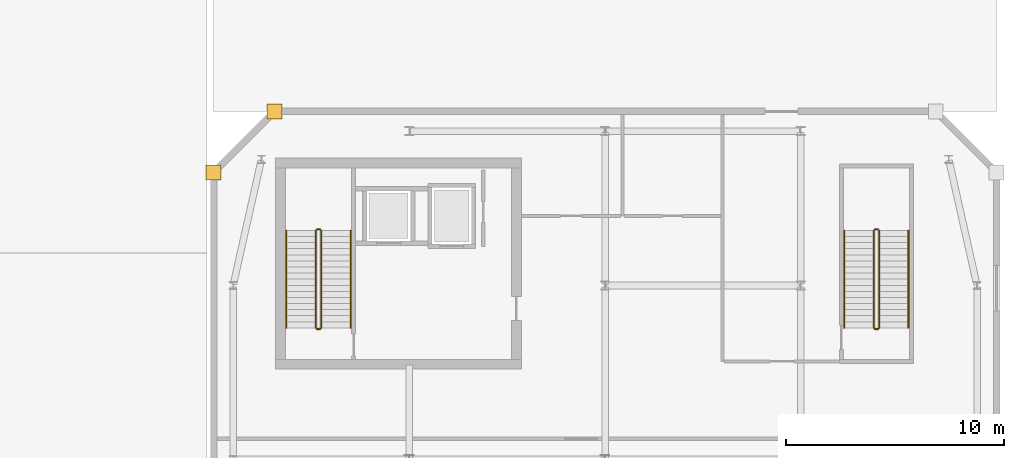
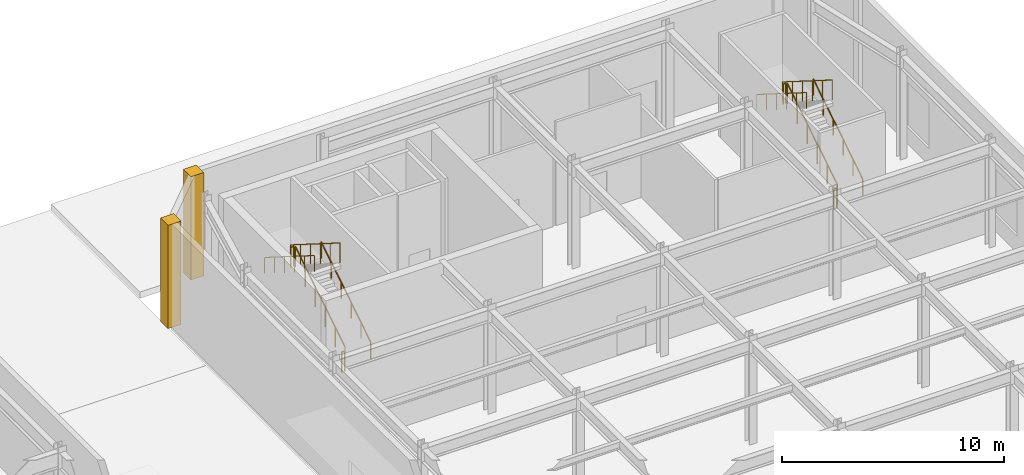
# One storey, part 21 of 23: 12 railings, 2 coverings.
"""IFC4 building model written with IfcOpenShell, lengths in metres."""

from ifc_helpers import new_model, si_unit, direction, frame, origin, origin_2d, place, context, subcontext, project, spatial, polyline, circle, outline, extrude, material, layer, layer_set, type_object, element, save


model = new_model("IFC4")

# Units and contexts
model_context = context("Model", 3, precision=1e-05, world=origin(), true_north=direction((0.0, 1.0)))
body_context = subcontext(model_context, "Body", "Model", "MODEL_VIEW")
ifc_project = project(units=[si_unit("LENGTHUNIT", "METRE"), si_unit("AREAUNIT", "SQUARE_METRE"), si_unit("VOLUMEUNIT", "CUBIC_METRE"), si_unit("PLANEANGLEUNIT", "RADIAN"), si_unit("MASSUNIT", "GRAM", prefix="KILO")], contexts=[model_context])

# Site, building, storey
site_placement = place(None, origin())
site = spatial("IfcSite", under=ifc_project, at=site_placement, CompositionType="ELEMENT")
building_placement = place(site_placement, origin())
building = spatial("IfcBuilding", under=site, at=building_placement, Name="Saevonmaru Cultural Tower", CompositionType="ELEMENT")
storey_placement = place(building_placement, origin())
storey = spatial("IfcBuildingStorey", under=building, at=storey_placement, Name="L00", CompositionType="ELEMENT", Elevation=0.0)

# Coverings
ifc_material_1 = material(Name="Satin Bronze Anodised Aluminium", Category="aluminium")
ifc_layer = layer(ifc_material_1, 0.679931640625, Name="Satin Bronze Anodised Aluminium")
ifc_layer_set = layer_set([ifc_layer], Name="Satin Bronze Anodised Aluminium")
covering_type = type_object("IfcCoveringType", Name="CV-CORNER-CLAD", PredefinedType="CLADDING", material=ifc_layer_set)
covering_1_placement = place(storey_placement, origin())
element("IfcCovering", 1, at=covering_1_placement, inside=storey, type_object=covering_type, Name="L00 Library Bronze Corner Cladding Pier 7", PredefinedType="CLADDING", context=body_context, shape_type="SweptSolid", body=[
    extrude(outline(polyline([(74.659912109375, 47.659912109375), (75.340087890625, 47.659912109375), (75.340087890625, 48.340087890625), (74.659912109375, 48.340087890625), (74.659912109375, 47.659912109375)])), origin(), (0.0, 0.0, 1.0), 5.699951171875),
])
covering_2_placement = place(storey_placement, origin())
element("IfcCovering", 2, at=covering_2_placement, inside=storey, type_object=covering_type, Name="L00 Library Bronze Corner Cladding Pier 8", PredefinedType="CLADDING", context=body_context, shape_type="SweptSolid", body=[
    extrude(outline(polyline([(71.860107421875, 44.860107421875), (72.5400390625, 44.860107421875), (72.5400390625, 45.5400390625), (71.860107421875, 45.5400390625), (71.860107421875, 44.860107421875)])), origin(), (0.0, 0.0, 1.0), 5.699951171875),
])

# Railings
ifc_material_2 = material(Name="Architectural Painted Steel", Category="steel")
railing_type_1 = type_object("IfcRailingType", Name="RL-STAIR-GUARD", PredefinedType="GUARDRAIL", material=ifc_material_2)
railing_1_placement = place(storey_placement, frame((77.14990234375, 38.050048828125, 0.176513671875)))
element("IfcRailing", 3, at=railing_1_placement, inside=storey, type_object=railing_type_1, Name="L00 LST-1 stair guard 1", PredefinedType="GUARDRAIL", context=body_context, shape_type="SweptSolid", body=[
    extrude(circle(Radius=0.02392578125, at=origin_2d()), frame((0.0, 0.0, 1.09619140625), z_axis=(0.0, 0.845997938375, 0.533186166611), x_axis=(-1.0, 0.0, 0.0)), (0.0, 0.0, 1.0), 5.29541015625),
    extrude(circle(Radius=0.02099609375, at=origin_2d()), origin(), (0.0, 0.0, 1.0), 1.072021484375),
    extrude(circle(Radius=0.02099609375, at=origin_2d()), frame((0.0, 0.89599609375, 0.564697265625)), (0.0, 0.0, 1.0), 1.072021484375),
    extrude(circle(Radius=0.02099609375, at=origin_2d()), frame((0.0, 1.7919921875, 1.12939453125)), (0.0, 0.0, 1.0), 1.072021484375),
    extrude(circle(Radius=0.02099609375, at=origin_2d()), frame((0.0, 2.68798828125, 1.694091796875)), (0.0, 0.0, 1.0), 1.072021484375),
    extrude(circle(Radius=0.02099609375, at=origin_2d()), frame((0.0, 3.583984375, 2.2587890625)), (0.0, 0.0, 1.0), 1.072021484375),
    extrude(circle(Radius=0.02099609375, at=origin_2d()), frame((0.0, 4.47998046875, 2.823486328125)), (0.0, 0.0, 1.0), 1.072021484375),
])
railing_2_placement = place(storey_placement, frame((77.10009765625, 42.580078125, 3.0)))
element("IfcRailing", 4, at=railing_2_placement, inside=storey, type_object=railing_type_1, Name="L00 LST-1 stair guard 2", PredefinedType="GUARDRAIL", context=body_context, shape_type="SweptSolid", body=[
    extrude(circle(Radius=0.02392578125, at=origin_2d()), frame((0.0, 0.0, 1.09619140625), z_axis=(-1.0, 0.0, 0.0), x_axis=(0.0, -1.0, 0.0)), (0.0, 0.0, 1.0), 0.150146484375),
    extrude(circle(Radius=0.02099609375, at=origin_2d()), origin(), (0.0, 0.0, 1.0), 1.072021484375),
    extrude(circle(Radius=0.02099609375, at=origin_2d()), frame((-0.150146484375, 0.0, 0.0)), (0.0, 0.0, 1.0), 1.072021484375),
])
railing_3_placement = place(storey_placement, frame((76.89990234375, 42.530029296875, 3.176513671875)))
element("IfcRailing", 5, at=railing_3_placement, inside=storey, type_object=railing_type_1, Name="L00 LST-1 stair guard 3", PredefinedType="GUARDRAIL", context=body_context, shape_type="SweptSolid", body=[
    extrude(circle(Radius=0.02392578125, at=origin_2d()), frame((0.0, 0.0, 1.09619140625), z_axis=(0.0, -0.845997938375, 0.533186166611), x_axis=(1.0, 0.0, 0.0)), (0.0, 0.0, 1.0), 5.29541015625),
    extrude(circle(Radius=0.02099609375, at=origin_2d()), origin(), (0.0, 0.0, 1.0), 1.072021484375),
    extrude(circle(Radius=0.02099609375, at=origin_2d()), frame((0.0, -0.89599609375, 0.564697265625)), (0.0, 0.0, 1.0), 1.072021484375),
    extrude(circle(Radius=0.02099609375, at=origin_2d()), frame((0.0, -1.7919921875, 1.12939453125)), (0.0, 0.0, 1.0), 1.072021484375),
    extrude(circle(Radius=0.02099609375, at=origin_2d()), frame((0.0, -2.68798828125, 1.694091796875)), (0.0, 0.0, 1.0), 1.072021484375),
    extrude(circle(Radius=0.02099609375, at=origin_2d()), frame((0.0, -3.583984375, 2.2587890625)), (0.0, 0.0, 1.0), 1.072021484375),
    extrude(circle(Radius=0.02099609375, at=origin_2d()), frame((0.0, -4.47998046875, 2.823486328125)), (0.0, 0.0, 1.0), 1.072021484375),
])
railing_4_placement = place(storey_placement, frame((77.10009765625, 38.0, 0.0)))
element("IfcRailing", 6, at=railing_4_placement, inside=storey, type_object=railing_type_1, Name="L00 LST-1 stair guard 4", PredefinedType="GUARDRAIL", context=body_context, shape_type="SweptSolid", body=[
    extrude(circle(Radius=0.02392578125, at=origin_2d()), frame((0.0, 0.0, 1.09619140625), z_axis=(-1.0, 0.0, 0.0), x_axis=(0.0, -1.0, 0.0)), (0.0, 0.0, 1.0), 0.150146484375),
    extrude(circle(Radius=0.02099609375, at=origin_2d()), origin(), (0.0, 0.0, 1.0), 1.072021484375),
    extrude(circle(Radius=0.02099609375, at=origin_2d()), frame((-0.150146484375, 0.0, 0.0)), (0.0, 0.0, 1.0), 1.072021484375),
])
railing_5_placement = place(storey_placement, frame((102.800048828125, 38.050048828125, 0.176513671875)))
element("IfcRailing", 7, at=railing_5_placement, inside=storey, type_object=railing_type_1, Name="L00 LST-2 stair guard 1", PredefinedType="GUARDRAIL", context=body_context, shape_type="SweptSolid", body=[
    extrude(circle(Radius=0.02392578125, at=origin_2d()), frame((0.0, 0.0, 1.09619140625), z_axis=(0.0, 0.845997938375, 0.533186166611), x_axis=(-1.0, 0.0, 0.0)), (0.0, 0.0, 1.0), 5.29541015625),
    extrude(circle(Radius=0.02099609375, at=origin_2d()), origin(), (0.0, 0.0, 1.0), 1.072021484375),
    extrude(circle(Radius=0.02099609375, at=origin_2d()), frame((0.0, 0.89599609375, 0.564697265625)), (0.0, 0.0, 1.0), 1.072021484375),
    extrude(circle(Radius=0.02099609375, at=origin_2d()), frame((0.0, 1.7919921875, 1.12939453125)), (0.0, 0.0, 1.0), 1.072021484375),
    extrude(circle(Radius=0.02099609375, at=origin_2d()), frame((0.0, 2.68798828125, 1.694091796875)), (0.0, 0.0, 1.0), 1.072021484375),
    extrude(circle(Radius=0.02099609375, at=origin_2d()), frame((0.0, 3.583984375, 2.2587890625)), (0.0, 0.0, 1.0), 1.072021484375),
    extrude(circle(Radius=0.02099609375, at=origin_2d()), frame((0.0, 4.47998046875, 2.823486328125)), (0.0, 0.0, 1.0), 1.072021484375),
])
railing_6_placement = place(storey_placement, frame((102.75, 42.580078125, 3.0)))
element("IfcRailing", 8, at=railing_6_placement, inside=storey, type_object=railing_type_1, Name="L00 LST-2 stair guard 2", PredefinedType="GUARDRAIL", context=body_context, shape_type="SweptSolid", body=[
    extrude(circle(Radius=0.02392578125, at=origin_2d()), frame((0.0, 0.0, 1.09619140625), z_axis=(-1.0, 0.0, 0.0), x_axis=(0.0, -1.0, 0.0)), (0.0, 0.0, 1.0), 0.14990234375),
    extrude(circle(Radius=0.02099609375, at=origin_2d()), origin(), (0.0, 0.0, 1.0), 1.072021484375),
    extrude(circle(Radius=0.02099609375, at=origin_2d()), frame((-0.14990234375, 0.0, 0.0)), (0.0, 0.0, 1.0), 1.072021484375),
])
railing_7_placement = place(storey_placement, frame((102.550048828125, 42.530029296875, 3.176513671875)))
element("IfcRailing", 9, at=railing_7_placement, inside=storey, type_object=railing_type_1, Name="L00 LST-2 stair guard 3", PredefinedType="GUARDRAIL", context=body_context, shape_type="SweptSolid", body=[
    extrude(circle(Radius=0.02392578125, at=origin_2d()), frame((0.0, 0.0, 1.09619140625), z_axis=(0.0, -0.845997938375, 0.533186166611), x_axis=(1.0, 0.0, 0.0)), (0.0, 0.0, 1.0), 5.29541015625),
    extrude(circle(Radius=0.02099609375, at=origin_2d()), origin(), (0.0, 0.0, 1.0), 1.072021484375),
    extrude(circle(Radius=0.02099609375, at=origin_2d()), frame((0.0, -0.89599609375, 0.564697265625)), (0.0, 0.0, 1.0), 1.072021484375),
    extrude(circle(Radius=0.02099609375, at=origin_2d()), frame((0.0, -1.7919921875, 1.12939453125)), (0.0, 0.0, 1.0), 1.072021484375),
    extrude(circle(Radius=0.02099609375, at=origin_2d()), frame((0.0, -2.68798828125, 1.694091796875)), (0.0, 0.0, 1.0), 1.072021484375),
    extrude(circle(Radius=0.02099609375, at=origin_2d()), frame((0.0, -3.583984375, 2.2587890625)), (0.0, 0.0, 1.0), 1.072021484375),
    extrude(circle(Radius=0.02099609375, at=origin_2d()), frame((0.0, -4.47998046875, 2.823486328125)), (0.0, 0.0, 1.0), 1.072021484375),
])
railing_8_placement = place(storey_placement, frame((102.75, 38.0, 0.0)))
element("IfcRailing", 10, at=railing_8_placement, inside=storey, type_object=railing_type_1, Name="L00 LST-2 stair guard 4", PredefinedType="GUARDRAIL", context=body_context, shape_type="SweptSolid", body=[
    extrude(circle(Radius=0.02392578125, at=origin_2d()), frame((0.0, 0.0, 1.09619140625), z_axis=(-1.0, 0.0, 0.0), x_axis=(0.0, -1.0, 0.0)), (0.0, 0.0, 1.0), 0.14990234375),
    extrude(circle(Radius=0.02099609375, at=origin_2d()), origin(), (0.0, 0.0, 1.0), 1.072021484375),
    extrude(circle(Radius=0.02099609375, at=origin_2d()), frame((-0.14990234375, 0.0, 0.0)), (0.0, 0.0, 1.0), 1.072021484375),
])
railing_type_2 = type_object("IfcRailingType", Name="RL-STAIR-HANDRAIL", PredefinedType="HANDRAIL", material=ifc_material_1)
railing_9_placement = place(storey_placement, frame((78.5, 38.050048828125, 0.176513671875)))
element("IfcRailing", 11, at=railing_9_placement, inside=storey, type_object=railing_type_2, Name="L00 LST-1 stair handrail 1", PredefinedType="HANDRAIL", context=body_context, shape_type="SweptSolid", body=[
    extrude(circle(Radius=0.02392578125, at=origin_2d()), frame((0.0, 0.0, 0.8759765625), z_axis=(0.0, 0.845997938375, 0.533186166611), x_axis=(-1.0, 0.0, 0.0)), (0.0, 0.0, 1.0), 5.29541015625),
    extrude(circle(Radius=0.02099609375, at=origin_2d()), origin(), (0.0, 0.0, 1.0), 0.851806640625),
    extrude(circle(Radius=0.02099609375, at=origin_2d()), frame((0.0, 0.89599609375, 0.564697265625)), (0.0, 0.0, 1.0), 0.851806640625),
    extrude(circle(Radius=0.02099609375, at=origin_2d()), frame((0.0, 1.7919921875, 1.12939453125)), (0.0, 0.0, 1.0), 0.851806640625),
    extrude(circle(Radius=0.02099609375, at=origin_2d()), frame((0.0, 2.68798828125, 1.694091796875)), (0.0, 0.0, 1.0), 0.851806640625),
    extrude(circle(Radius=0.02099609375, at=origin_2d()), frame((0.0, 3.583984375, 2.2587890625)), (0.0, 0.0, 1.0), 0.851806640625),
    extrude(circle(Radius=0.02099609375, at=origin_2d()), frame((0.0, 4.47998046875, 2.823486328125)), (0.0, 0.0, 1.0), 0.851806640625),
])
railing_10_placement = place(storey_placement, frame((75.550048828125, 42.530029296875, 3.176513671875)))
element("IfcRailing", 12, at=railing_10_placement, inside=storey, type_object=railing_type_2, Name="L00 LST-1 stair handrail 2", PredefinedType="HANDRAIL", context=body_context, shape_type="SweptSolid", body=[
    extrude(circle(Radius=0.02392578125, at=origin_2d()), frame((0.0, 0.0, 0.8759765625), z_axis=(0.0, -0.845997938375, 0.533186166611), x_axis=(1.0, 0.0, 0.0)), (0.0, 0.0, 1.0), 5.29541015625),
    extrude(circle(Radius=0.02099609375, at=origin_2d()), origin(), (0.0, 0.0, 1.0), 0.851806640625),
    extrude(circle(Radius=0.02099609375, at=origin_2d()), frame((0.0, -0.89599609375, 0.564697265625)), (0.0, 0.0, 1.0), 0.851806640625),
    extrude(circle(Radius=0.02099609375, at=origin_2d()), frame((0.0, -1.7919921875, 1.12939453125)), (0.0, 0.0, 1.0), 0.851806640625),
    extrude(circle(Radius=0.02099609375, at=origin_2d()), frame((0.0, -2.68798828125, 1.694091796875)), (0.0, 0.0, 1.0), 0.851806640625),
    extrude(circle(Radius=0.02099609375, at=origin_2d()), frame((0.0, -3.583984375, 2.2587890625)), (0.0, 0.0, 1.0), 0.851806640625),
    extrude(circle(Radius=0.02099609375, at=origin_2d()), frame((0.0, -4.47998046875, 2.823486328125)), (0.0, 0.0, 1.0), 0.851806640625),
])
railing_11_placement = place(storey_placement, frame((104.14990234375, 38.050048828125, 0.176513671875)))
element("IfcRailing", 13, at=railing_11_placement, inside=storey, type_object=railing_type_2, Name="L00 LST-2 stair handrail 1", PredefinedType="HANDRAIL", context=body_context, shape_type="SweptSolid", body=[
    extrude(circle(Radius=0.02392578125, at=origin_2d()), frame((0.0, 0.0, 0.8759765625), z_axis=(0.0, 0.845997938375, 0.533186166611), x_axis=(-1.0, 0.0, 0.0)), (0.0, 0.0, 1.0), 5.29541015625),
    extrude(circle(Radius=0.02099609375, at=origin_2d()), origin(), (0.0, 0.0, 1.0), 0.851806640625),
    extrude(circle(Radius=0.02099609375, at=origin_2d()), frame((0.0, 0.89599609375, 0.564697265625)), (0.0, 0.0, 1.0), 0.851806640625),
    extrude(circle(Radius=0.02099609375, at=origin_2d()), frame((0.0, 1.7919921875, 1.12939453125)), (0.0, 0.0, 1.0), 0.851806640625),
    extrude(circle(Radius=0.02099609375, at=origin_2d()), frame((0.0, 2.68798828125, 1.694091796875)), (0.0, 0.0, 1.0), 0.851806640625),
    extrude(circle(Radius=0.02099609375, at=origin_2d()), frame((0.0, 3.583984375, 2.2587890625)), (0.0, 0.0, 1.0), 0.851806640625),
    extrude(circle(Radius=0.02099609375, at=origin_2d()), frame((0.0, 4.47998046875, 2.823486328125)), (0.0, 0.0, 1.0), 0.851806640625),
])
railing_12_placement = place(storey_placement, frame((101.199951171875, 42.530029296875, 3.176513671875)))
element("IfcRailing", 14, at=railing_12_placement, inside=storey, type_object=railing_type_2, Name="L00 LST-2 stair handrail 2", PredefinedType="HANDRAIL", context=body_context, shape_type="SweptSolid", body=[
    extrude(circle(Radius=0.02392578125, at=origin_2d()), frame((0.0, 0.0, 0.8759765625), z_axis=(0.0, -0.845997938375, 0.533186166611), x_axis=(1.0, 0.0, 0.0)), (0.0, 0.0, 1.0), 5.29541015625),
    extrude(circle(Radius=0.02099609375, at=origin_2d()), origin(), (0.0, 0.0, 1.0), 0.851806640625),
    extrude(circle(Radius=0.02099609375, at=origin_2d()), frame((0.0, -0.89599609375, 0.564697265625)), (0.0, 0.0, 1.0), 0.851806640625),
    extrude(circle(Radius=0.02099609375, at=origin_2d()), frame((0.0, -1.7919921875, 1.12939453125)), (0.0, 0.0, 1.0), 0.851806640625),
    extrude(circle(Radius=0.02099609375, at=origin_2d()), frame((0.0, -2.68798828125, 1.694091796875)), (0.0, 0.0, 1.0), 0.851806640625),
    extrude(circle(Radius=0.02099609375, at=origin_2d()), frame((0.0, -3.583984375, 2.2587890625)), (0.0, 0.0, 1.0), 0.851806640625),
    extrude(circle(Radius=0.02099609375, at=origin_2d()), frame((0.0, -4.47998046875, 2.823486328125)), (0.0, 0.0, 1.0), 0.851806640625),
])

save(model, "model.ifc")
